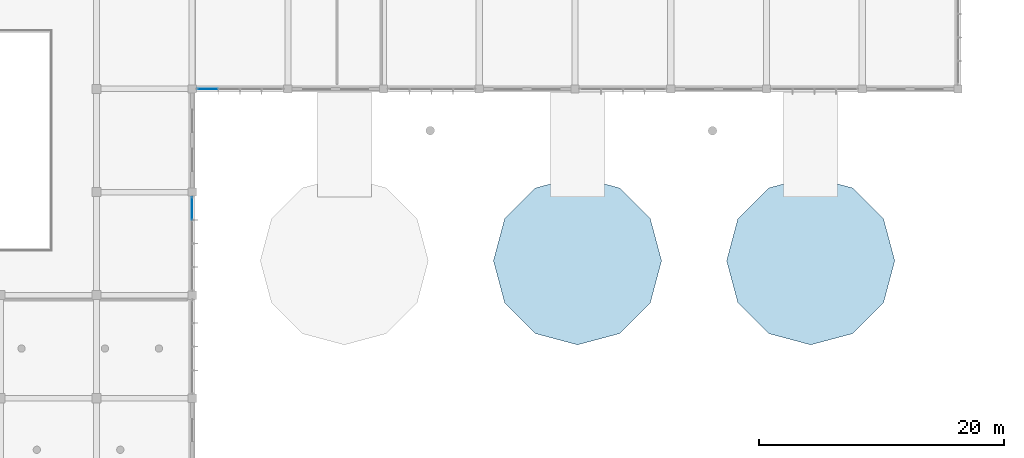
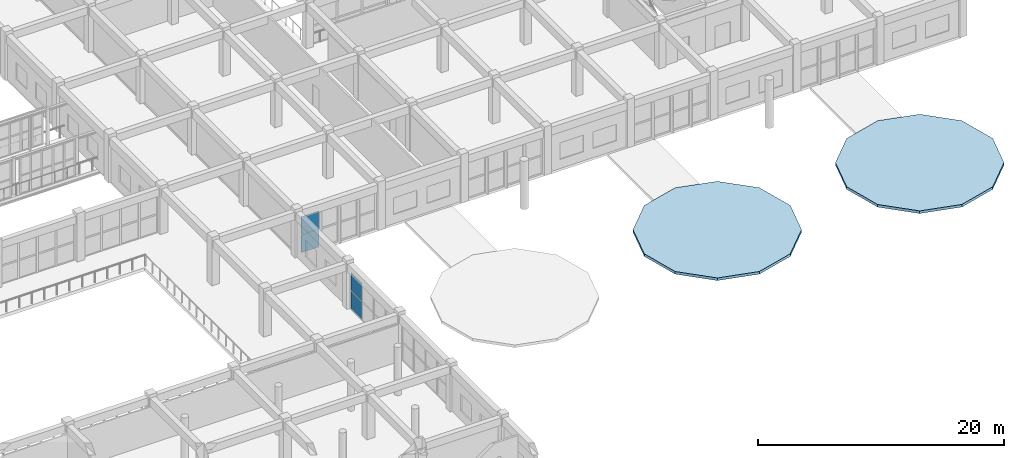
# One storey, part 147 of 175: 4 plates, 2 slabs, 2 elements without a shape of their own.
"""IFC4 building model written with IfcOpenShell, lengths in metres."""

from ifc_helpers import new_model, si_unit, direction, frame, origin, origin_2d, place, context, subcontext, project, spatial, polyline, rectangle, outline, extrude, material, layer, layer_set, type_object, element, aggregate, save


model = new_model("IFC4")

# Units and contexts
model_context = context("Model", 3, precision=1e-05, world=origin(), true_north=direction((0.0, 1.0)))
body_context = subcontext(model_context, "Body", "Model", "MODEL_VIEW")
ifc_project = project(units=[si_unit("LENGTHUNIT", "METRE"), si_unit("AREAUNIT", "SQUARE_METRE"), si_unit("VOLUMEUNIT", "CUBIC_METRE"), si_unit("PLANEANGLEUNIT", "RADIAN"), si_unit("MASSUNIT", "GRAM", prefix="KILO")], contexts=[model_context])

# Site, building, storey
site_placement = place(None, origin())
site = spatial("IfcSite", under=ifc_project, at=site_placement, CompositionType="ELEMENT")
building_placement = place(site_placement, origin())
building = spatial("IfcBuilding", under=site, at=building_placement, Name="Zizhar Promenade General Hospital", CompositionType="ELEMENT")
storey_placement = place(building_placement, frame((0.0, 0.0, 4.800048828125)))
storey = spatial("IfcBuildingStorey", under=building, at=storey_placement, Name="L01", CompositionType="ELEMENT", Elevation=4.800048828125)

# Curtain wall, plates
ifc_material_1 = material(Name="Anodised aluminium 6063-T6 and low-E glass", Category="aluminium")
ifc_layer_1 = layer(ifc_material_1, 0.159912109375)
ifc_layer_set_1 = layer_set([ifc_layer_1], Name="Anodised aluminium 6063-T6 and low-E glass")
curtain_wall_type_1 = type_object("IfcCurtainWallType", Name="CW-CLN-EXT", PredefinedType="NOTDEFINED", material=ifc_layer_set_1)
curtain_wall_1_placement = place(storey_placement, origin())
curtain_wall_1 = element("IfcCurtainWall", 1, at=curtain_wall_1_placement, inside=storey, type_object=curtain_wall_type_1, Name="Outpatient Forecourt Curtain Wall L01-17", PredefinedType="NOTDEFINED")
ifc_material_2 = material(Name="Low-E solar-control glass", Category="glass")
ifc_layer_2 = layer(ifc_material_2, 0.031982421875)
ifc_layer_set_2 = layer_set([ifc_layer_2], Name="Low-E solar-control glass")
plate_type = type_object("IfcPlateType", Name="CWP-GLZ-32", PredefinedType="CURTAIN_PANEL", material=ifc_layer_set_2)
plate_1_placement = place(storey_placement, frame((133.864990234375, 42.0, 0.06005859375), z_axis=(0.0, 0.0, 1.0), x_axis=(-1.0, 0.0, 0.0)))
plate_1 = element("IfcPlate", 2, at=plate_1_placement, type_object=plate_type, Name="CW-09 panel 4.1", PredefinedType="CURTAIN_PANEL", context=body_context, shape_type="SweptSolid", body=[
    extrude(rectangle(XDim=1.64990234375, YDim=0.031982421875, at=origin_2d()), origin(), (0.0, 0.0, 1.0), 1.75),
])
plate_2_placement = place(storey_placement, frame((133.864990234375, 42.0, 1.869873046875), z_axis=(0.0, 0.0, 1.0), x_axis=(-1.0, 0.0, 0.0)))
plate_2 = element("IfcPlate", 3, at=plate_2_placement, type_object=plate_type, Name="CW-09 panel 4.2", PredefinedType="CURTAIN_PANEL", context=body_context, shape_type="SweptSolid", body=[
    extrude(rectangle(XDim=1.64990234375, YDim=0.031982421875, at=origin_2d()), origin(), (0.0, 0.0, 1.0), 1.75),
])
aggregate(curtain_wall_1, [plate_1, plate_2])

ifc_material_3 = material(Name="Anodised aluminium 6063-T6 and low-E glass", Category="aluminium")
ifc_layer_3 = layer(ifc_material_3, 0.159912109375)
ifc_layer_set_3 = layer_set([ifc_layer_3], Name="Anodised aluminium 6063-T6 and low-E glass")
curtain_wall_type_2 = type_object("IfcCurtainWallType", Name="CW-HALL-S", PredefinedType="NOTDEFINED", material=ifc_layer_set_3)
curtain_wall_2_placement = place(storey_placement, origin())
curtain_wall_2 = element("IfcCurtainWall", 4, at=curtain_wall_2_placement, inside=storey, type_object=curtain_wall_type_2, Name="Forecourt Arrival Glazed Curtain Wall L01-3", PredefinedType="NOTDEFINED")
plate_3_placement = place(storey_placement, frame((132.60009765625, 32.260009765625, 0.06005859375), z_axis=(0.0, 0.0, 1.0), x_axis=(0.0, -1.0, 0.0)))
plate_3 = element("IfcPlate", 5, at=plate_3_placement, type_object=plate_type, Name="CW-01 panel 1.1", PredefinedType="CURTAIN_PANEL", context=body_context, shape_type="SweptSolid", body=[
    extrude(rectangle(XDim=1.800048828125, YDim=0.031982421875, at=origin_2d()), origin(), (0.0, 0.0, 1.0), 1.75),
])
plate_4_placement = place(storey_placement, frame((132.60009765625, 32.260009765625, 1.869873046875), z_axis=(0.0, 0.0, 1.0), x_axis=(0.0, -1.0, 0.0)))
plate_4 = element("IfcPlate", 6, at=plate_4_placement, type_object=plate_type, Name="CW-01 panel 1.2", PredefinedType="CURTAIN_PANEL", context=body_context, shape_type="SweptSolid", body=[
    extrude(rectangle(XDim=1.800048828125, YDim=0.031982421875, at=origin_2d()), origin(), (0.0, 0.0, 1.0), 1.75),
])
aggregate(curtain_wall_2, [plate_3, plate_4])

# Slabs
ifc_material_4 = material(Name="Concrete C35/45", Category="concrete")
ifc_layer_4 = layer(ifc_material_4, 0.260009765625)
ifc_layer_set_4 = layer_set([ifc_layer_4], Name="Concrete C35/45")
slab_type = type_object("IfcSlabType", Name="SLB-ROOF-260", PredefinedType="ROOF", material=ifc_layer_set_4)
slab_1_placement = place(storey_placement, frame((0.0, 0.0, -0.260009765625)))
element("IfcSlab", 7, at=slab_1_placement, inside=storey, type_object=slab_type, Name="Pharmacy Collection Pavilion Overhanging Circular Roof Slab", PredefinedType="ROOF", context=body_context, shape_type="SweptSolid", body=[
    extrude(outline(polyline([(170.85009765625, 28.0), (169.932373046875, 31.425048828125), (167.425048828125, 33.932373046875), (164.0, 34.85009765625), (160.574951171875, 33.932373046875), (158.067626953125, 31.425048828125), (157.14990234375, 28.0), (158.067626953125, 24.574951171875), (160.574951171875, 22.067626953125), (164.0, 21.14990234375), (167.425048828125, 22.067626953125), (169.932373046875, 24.574951171875), (170.85009765625, 28.0)])), origin(), (0.0, 0.0, 1.0), 0.260009765625),
])
slab_2_placement = place(storey_placement, frame((0.0, 0.0, -0.260009765625)))
element("IfcSlab", 8, at=slab_2_placement, inside=storey, type_object=slab_type, Name="Community Health Information Pavilion Overhanging Circular Roof Slab", PredefinedType="ROOF", context=body_context, shape_type="SweptSolid", body=[
    extrude(outline(polyline([(189.85009765625, 28.0), (188.932373046875, 31.425048828125), (186.425048828125, 33.932373046875), (183.0, 34.85009765625), (179.574951171875, 33.932373046875), (177.067626953125, 31.425048828125), (176.14990234375, 28.0), (177.067626953125, 24.574951171875), (179.574951171875, 22.067626953125), (183.0, 21.14990234375), (186.425048828125, 22.067626953125), (188.932373046875, 24.574951171875), (189.85009765625, 28.0)])), origin(), (0.0, 0.0, 1.0), 0.260009765625),
])

save(model, "model.ifc")
